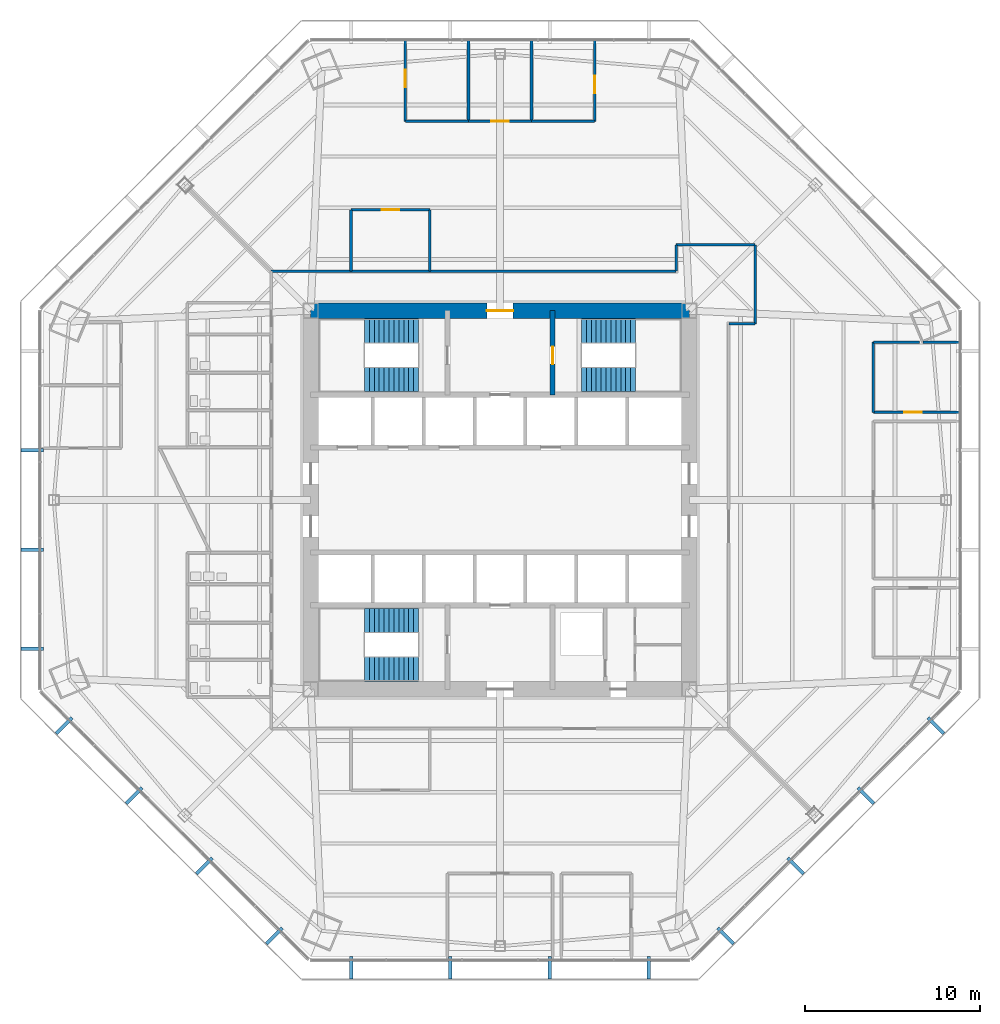
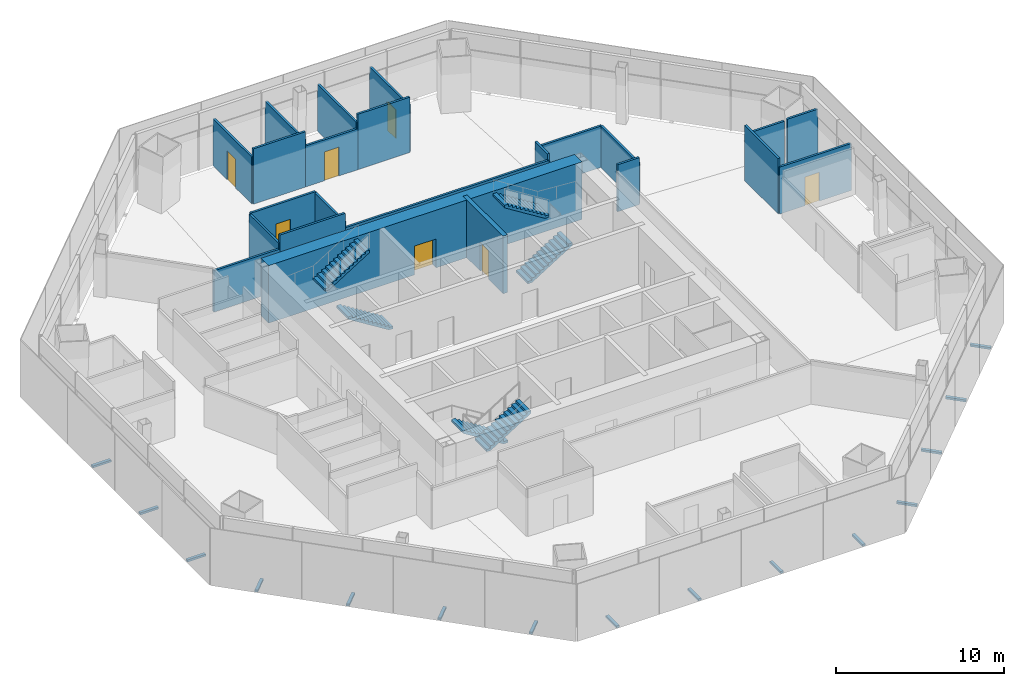
# One storey, part 11 of 15: 23 walls, 15 discrete accessories, 7 doors, 6 stair flights, 7 openings, 3 elements without a shape of their own.
"""IFC4 building model written with IfcOpenShell, lengths in metres."""

from ifc_helpers import new_model, si_unit, direction, frame, frame_2d, origin, origin_2d, place, context, subcontext, project, spatial, polyline, rectangle, outline, extrude, source, transform, mapped, material, layer, layer_set, type_object, type_shapes, element, fill, aggregate, save


model = new_model("IFC4")

# Units and contexts
model_context = context("Model", 3, precision=1e-05, world=origin(), true_north=direction((0.0, 1.0)))
body_context = subcontext(model_context, "Body", "Model", "MODEL_VIEW")
ifc_project = project(units=[si_unit("LENGTHUNIT", "METRE"), si_unit("AREAUNIT", "SQUARE_METRE"), si_unit("VOLUMEUNIT", "CUBIC_METRE"), si_unit("PLANEANGLEUNIT", "RADIAN"), si_unit("MASSUNIT", "GRAM", prefix="KILO")], contexts=[model_context])

# Site, building, storey
site_placement = place(None, origin())
site = spatial("IfcSite", under=ifc_project, at=site_placement, CompositionType="ELEMENT")
building_placement = place(site_placement, origin())
building = spatial("IfcBuilding", under=site, at=building_placement, Name="Mashrafa Tower", CompositionType="ELEMENT")
storey_placement = place(building_placement, frame((0.0, 0.0, 62.39990234375)))
storey = spatial("IfcBuildingStorey", under=building, at=storey_placement, Name="L13", CompositionType="ELEMENT", Elevation=62.39990234375)

# Wall, opening, door
ifc_material_1 = material(Name="Concrete C60/75", Category="concrete")
ifc_layer_1 = layer(ifc_material_1, 0.300048828125)
ifc_layer_set_1 = layer_set([ifc_layer_1], Name="Core wall 300 C60/75")
wall_type_1 = type_object("IfcWallType", Name="Core wall 300 C60/75", PredefinedType="SOLIDWALL", material=ifc_layer_set_1)
wall_1_placement = place(storey_placement, frame((3.0, 6.0, 0.0), z_axis=(0.0, 0.0, 1.0), x_axis=(0.0, 1.0, 0.0)))
wall_1 = element("IfcWall", 1, at=wall_1_placement, inside=storey, type_object=wall_type_1, Name="Core wall CX-NE L13", PredefinedType="SOLIDWALL", context=body_context, shape_type="SweptSolid", body=[
    extrude(rectangle(XDim=4.800048828125, YDim=0.300048828125, at=frame_2d((2.39990234375, 0.0))), origin(), (0.0, 0.0, 1.0), 4.2001953125),
])
opening_1_placement = place(wall_1_placement, frame((1.75, 0.0, 0.0)))
opening_1 = element("IfcOpeningElement", 2, at=opening_1_placement, cuts=wall_1, Name="Opening 13.031", PredefinedType="OPENING", context=body_context, shape_type="SweptSolid", body=[
    extrude(rectangle(XDim=1.0, YDim=2.10009765625, at=frame_2d((0.5, 1.050048828125))), frame((0.0, 0.159912109375, 0.0), z_axis=(0.0, -1.0, 0.0), x_axis=(1.0, 0.0, 0.0)), (0.0, 0.0, 1.0), 0.320068359375),
])
ifc_material_2 = material(Name="Steel door", Category="steel")
door_type_1 = type_object("IfcDoorType", Name="Stair door 1000 x 2100 90 min", OperationType="USERDEFINED", PredefinedType="DOOR", material=ifc_material_2)
door_1_placement = place(opening_1_placement, frame((1.0, 0.0, 0.0), z_axis=(0.0, 0.0, 1.0), x_axis=(-1.0, 0.0, 0.0)))
door_1 = element("IfcDoor", 3, at=door_1_placement, inside=storey, type_object=door_type_1, Name="Stair S2 door L13", OperationType="SINGLE_SWING_RIGHT", OverallHeight=2.10009765625, OverallWidth=1.0, PredefinedType="DOOR", context=body_context, shape_type="SweptSolid", body=[
    extrude(rectangle(XDim=1.0, YDim=2.10009765625, at=frame_2d((0.5, 1.050048828125))), frame((0.0, 0.02490234375, 0.0), z_axis=(0.0, -1.0, 0.0), x_axis=(1.0, 0.0, 0.0)), (0.0, 0.0, 1.0), 0.050048828125),
])
fill(opening_1, door_1)

ifc_material_3 = material(Name="Concrete C60/75", Category="concrete")
ifc_layer_2 = layer(ifc_material_3, 0.89990234375)
ifc_layer_set_2 = layer_set([ifc_layer_2], Name="Core wall 900 C60/75")
wall_type_2 = type_object("IfcWallType", Name="Core wall 900 C60/75", PredefinedType="SOLIDWALL", material=ifc_layer_set_2)
wall_2_placement = place(storey_placement, frame((10.800048828125, 10.800048828125, 0.0), z_axis=(0.0, 0.0, 1.0), x_axis=(-1.0, 0.0, 0.0)))
wall_2 = element("IfcWall", 4, at=wall_2_placement, inside=storey, type_object=wall_type_2, Name="Core wall CW-N L13", PredefinedType="SOLIDWALL", context=body_context, shape_type="SweptSolid", body=[
    extrude(rectangle(XDim=21.60009765625, YDim=0.89990234375, at=frame_2d((10.800048828125, 0.0))), origin(), (0.0, 0.0, 1.0), 4.2001953125),
])
opening_2_placement = place(wall_2_placement, frame((10.050048828125, 0.0, 0.0)))
opening_2 = element("IfcOpeningElement", 5, at=opening_2_placement, cuts=wall_2, Name="Opening 13.028", PredefinedType="OPENING", context=body_context, shape_type="SweptSolid", body=[
    extrude(rectangle(XDim=1.5, YDim=2.10009765625, at=frame_2d((0.75, 1.050048828125))), frame((0.0, 0.4599609375, 0.0), z_axis=(0.0, -1.0, 0.0), x_axis=(1.0, 0.0, 0.0)), (0.0, 0.0, 1.0), 0.919921875),
])
ifc_material_4 = material(Name="Steel door", Category="steel")
door_type_2 = type_object("IfcDoorType", Name="Lobby door pair 1500 x 2100 90 min", OperationType="DOUBLE_DOOR_SINGLE_SWING", PredefinedType="DOOR", material=ifc_material_4)
door_2_placement = place(opening_2_placement, origin())
door_2 = element("IfcDoor", 6, at=door_2_placement, inside=storey, type_object=door_type_2, Name="Fire-fighting lobby F1 door L13", OperationType="DOUBLE_DOOR_SINGLE_SWING", OverallHeight=2.10009765625, OverallWidth=1.5, PredefinedType="DOOR", context=body_context, shape_type="SweptSolid", body=[
    extrude(rectangle(XDim=1.5, YDim=2.10009765625, at=frame_2d((0.75, 1.050048828125))), frame((0.0, 0.02490234375, 0.0), z_axis=(0.0, -1.0, 0.0), x_axis=(1.0, 0.0, 0.0)), (0.0, 0.0, 1.0), 0.050048828125),
])
fill(opening_2, door_2)

# Walls
ifc_material_5 = material(Name="Gypsum board on steel studs", Category="steel")
ifc_layer_3 = layer(ifc_material_5, 0.14990234375)
ifc_layer_set_3 = layer_set([ifc_layer_3], Name="Corridor partition 150 1 hr")
wall_type_3 = type_object("IfcWallType", Name="Corridor partition 150 1 hr", PredefinedType="PARTITIONING", material=ifc_layer_set_3)
wall_3_placement = place(storey_placement, frame((-3.9990234375, 13.050048828125, 0.0), z_axis=(0.0, 0.0, 1.0), x_axis=(-1.0, 0.0, 0.0)))
element("IfcWall", 7, at=wall_3_placement, inside=storey, type_object=wall_type_3, Name="Corridor wall L13-010", PredefinedType="PARTITIONING", context=body_context, shape_type="SweptSolid", body=[
    extrude(rectangle(XDim=4.501953125, YDim=0.14990234375, at=frame_2d((2.2509765625, 0.0))), origin(), (0.0, 0.0, 1.0), 4.03515625),
])
wall_4_placement = place(storey_placement, frame((-8.4990234375, 13.050048828125, 0.0), z_axis=(0.0, 0.0, 1.0), x_axis=(-1.0, 0.0, 0.0)))
element("IfcWall", 8, at=wall_4_placement, inside=storey, type_object=wall_type_3, Name="Corridor wall L13-012", PredefinedType="PARTITIONING", context=body_context, shape_type="SweptSolid", body=[
    extrude(rectangle(XDim=4.551025390625, YDim=0.14990234375, at=frame_2d((2.275390625, 0.0))), origin(), (0.0, 0.0, 1.0), 3.01416015625),
])
wall_5_placement = place(storey_placement, frame((13.050048828125, 10.050048828125, 0.0), z_axis=(0.0, 0.0, 1.0), x_axis=(1.0, 0.0, 0.0)))
element("IfcWall", 9, at=wall_5_placement, inside=storey, type_object=wall_type_3, Name="Corridor wall L13-014", PredefinedType="PARTITIONING", context=body_context, shape_type="SweptSolid", body=[
    extrude(rectangle(XDim=1.5, YDim=0.14990234375, at=frame_2d((0.75, 0.0))), origin(), (0.0, 0.0, 1.0), 3.423095703125),
])
for number, where, z_axis, x_axis, name in (
    (10, (14.550048828125, 10.050048828125, 0.0), (0.0, 0.0, 1.0), (0.0, 1.0, 0.0), "Corridor wall L13-015"),
    (11, (14.550048828125, 14.550048828125, 0.0), (0.0, 0.0, 1.0), (-1.0, 0.0, 0.0), "Corridor wall L13-016"),
):
    element("IfcWall", number, at=place(storey_placement, frame(where, z_axis=z_axis, x_axis=x_axis)), inside=storey, type_object=wall_type_3, Name=name, PredefinedType="PARTITIONING", context=body_context, shape_type="SweptSolid", body=[
        extrude(rectangle(XDim=4.5, YDim=0.14990234375, at=frame_2d((2.25, 0.0))), origin(), (0.0, 0.0, 1.0), 3.01416015625),
    ])
wall_6_placement = place(storey_placement, frame((10.050048828125, 14.550048828125, 0.0), z_axis=(0.0, 0.0, 1.0), x_axis=(0.0, -1.0, 0.0)))
element("IfcWall", 12, at=wall_6_placement, inside=storey, type_object=wall_type_3, Name="Corridor wall L13-017", PredefinedType="PARTITIONING", context=body_context, shape_type="SweptSolid", body=[
    extrude(rectangle(XDim=1.5, YDim=0.14990234375, at=frame_2d((0.75, 0.0))), origin(), (0.0, 0.0, 1.0), 3.423095703125),
])
wall_7_placement = place(storey_placement, frame((10.050048828125, 13.050048828125, 0.0), z_axis=(0.0, 0.0, 1.0), x_axis=(-1.0, 0.0, 0.0)))
element("IfcWall", 13, at=wall_7_placement, inside=storey, type_object=wall_type_3, Name="Corridor wall L13-018", PredefinedType="PARTITIONING", context=body_context, shape_type="SweptSolid", body=[
    extrude(rectangle(XDim=14.051025390625, YDim=0.14990234375, at=frame_2d((7.025390625, 0.0))), origin(), (0.0, 0.0, 1.0), 2.983642578125),
])
ifc_material_6 = material(Name="Gypsum board on steel studs", Category="steel")
ifc_layer_4 = layer(ifc_material_6, 0.14990234375)
ifc_layer_set_4 = layer_set([ifc_layer_4], Name="Partition 150")
wall_type_4 = type_object("IfcWallType", Name="Partition 150", PredefinedType="PARTITIONING", material=ifc_layer_set_4)
wall_8_placement = place(storey_placement, frame((-4.0, 13.050048828125, 0.0), z_axis=(0.0, 0.0, 1.0), x_axis=(0.0, 1.0, 0.0)))
element("IfcWall", 14, at=wall_8_placement, inside=storey, type_object=wall_type_4, Name="Partition wall L13-047", PredefinedType="PARTITIONING", context=body_context, shape_type="SweptSolid", body=[
    extrude(rectangle(XDim=3.5, YDim=0.14990234375, at=frame_2d((1.75, 0.0))), origin(), (0.0, 0.0, 1.0), 3.423095703125),
])

# Wall, opening, door
wall_9_placement = place(storey_placement, frame((-4.0, 16.550048828125, 0.0), z_axis=(0.0, 0.0, 1.0), x_axis=(-1.0, 0.0, 0.0)))
wall_9 = element("IfcWall", 15, at=wall_9_placement, inside=storey, type_object=wall_type_4, Name="Partition wall L13-048", PredefinedType="PARTITIONING", context=body_context, shape_type="SweptSolid", body=[
    extrude(rectangle(XDim=4.5, YDim=0.14990234375, at=frame_2d((2.25, 0.0))), origin(), (0.0, 0.0, 1.0), 3.496826171875),
])
opening_3_placement = place(wall_9_placement, frame((1.75, 0.0, 0.0)))
opening_3 = element("IfcOpeningElement", 16, at=opening_3_placement, cuts=wall_9, Name="Opening 13.011", PredefinedType="OPENING", context=body_context, shape_type="SweptSolid", body=[
    extrude(rectangle(XDim=1.0, YDim=2.10009765625, at=frame_2d((0.5, 1.050048828125))), frame((0.0, 0.0849609375, 0.0), z_axis=(0.0, -1.0, 0.0), x_axis=(1.0, 0.0, 0.0)), (0.0, 0.0, 1.0), 0.169921875),
])
ifc_material_7 = material(Name="Timber door", Category="wood")
door_type_3 = type_object("IfcDoorType", Name="Door 1000 x 2100", OperationType="USERDEFINED", PredefinedType="DOOR", material=ifc_material_7)
door_3_placement = place(opening_3_placement, origin())
door_3 = element("IfcDoor", 17, at=door_3_placement, inside=storey, type_object=door_type_3, Name="Pantry 13-A door", OperationType="SINGLE_SWING_LEFT", OverallHeight=2.10009765625, OverallWidth=1.0, PredefinedType="DOOR", context=body_context, shape_type="SweptSolid", body=[
    extrude(rectangle(XDim=1.0, YDim=2.10009765625, at=frame_2d((0.5, 1.050048828125))), frame((0.0, 0.02490234375, 0.0), z_axis=(0.0, -1.0, 0.0), x_axis=(1.0, 0.0, 0.0)), (0.0, 0.0, 1.0), 0.050048828125),
])
fill(opening_3, door_3)

# Walls
wall_10_placement = place(storey_placement, frame((-8.5, 16.550048828125, 0.0), z_axis=(0.0, 0.0, 1.0), x_axis=(0.0, -1.0, 0.0)))
element("IfcWall", 18, at=wall_10_placement, inside=storey, type_object=wall_type_4, Name="Partition wall L13-049", PredefinedType="PARTITIONING", context=body_context, shape_type="SweptSolid", body=[
    extrude(rectangle(XDim=3.5, YDim=0.14990234375, at=frame_2d((1.75, 0.0))), origin(), (0.0, 0.0, 1.0), 3.423095703125),
])
wall_11_placement = place(storey_placement, frame((1.800048828125, 26.2314453125, 0.0), z_axis=(0.0, 0.0, 1.0), x_axis=(0.0, -1.0, 0.0)))
element("IfcWall", 19, at=wall_11_placement, inside=storey, type_object=wall_type_4, Name="Partition wall L13-056", PredefinedType="PARTITIONING", context=body_context, shape_type="SweptSolid", body=[
    extrude(rectangle(XDim=4.6318359375, YDim=0.14990234375, at=frame_2d((2.31591796875, 0.0))), origin(), (0.0, 0.0, 1.0), 3.423095703125),
])
wall_12_placement = place(storey_placement, frame((1.800048828125, 21.599609375, 0.0), z_axis=(0.0, 0.0, 1.0), x_axis=(1.0, 0.0, 0.0)))
element("IfcWall", 20, at=wall_12_placement, inside=storey, type_object=wall_type_4, Name="Partition wall L13-057", PredefinedType="PARTITIONING", context=body_context, shape_type="SweptSolid", body=[
    extrude(rectangle(XDim=3.599853515625, YDim=0.14990234375, at=frame_2d((1.7998046875, 0.0))), origin(), (0.0, 0.0, 1.0), 4.03515625),
])

# Wall, opening, door
wall_13_placement = place(storey_placement, frame((5.39990234375, 21.599609375, 0.0), z_axis=(0.0, 0.0, 1.0), x_axis=(0.0, 1.0, 0.0)))
wall_13 = element("IfcWall", 21, at=wall_13_placement, inside=storey, type_object=wall_type_4, Name="Partition wall L13-058", PredefinedType="PARTITIONING", context=body_context, shape_type="SweptSolid", body=[
    extrude(rectangle(XDim=4.6337890625, YDim=0.14990234375, at=frame_2d((2.31689453125, 0.0))), origin(), (0.0, 0.0, 1.0), 3.423095703125),
])
opening_4_placement = place(wall_13_placement, frame((1.60009765625, 0.0, 0.0)))
opening_4 = element("IfcOpeningElement", 22, at=opening_4_placement, cuts=wall_13, Name="Opening 13.014", PredefinedType="OPENING", context=body_context, shape_type="SweptSolid", body=[
    extrude(rectangle(XDim=1.0, YDim=2.10009765625, at=frame_2d((0.5, 1.050048828125))), frame((0.0, 0.0849609375, 0.0), z_axis=(0.0, -1.0, 0.0), x_axis=(1.0, 0.0, 0.0)), (0.0, 0.0, 1.0), 0.169921875),
])
door_4_placement = place(opening_4_placement, origin())
door_4 = element("IfcDoor", 23, at=door_4_placement, inside=storey, type_object=door_type_3, Name="Office 13-A-1 door", OperationType="SINGLE_SWING_LEFT", OverallHeight=2.10009765625, OverallWidth=1.0, PredefinedType="DOOR", context=body_context, shape_type="SweptSolid", body=[
    extrude(rectangle(XDim=1.0, YDim=2.10009765625, at=frame_2d((0.5, 1.050048828125))), frame((0.0, 0.02490234375, 0.0), z_axis=(0.0, -1.0, 0.0), x_axis=(1.0, 0.0, 0.0)), (0.0, 0.0, 1.0), 0.050048828125),
])
fill(opening_4, door_4)

# Wall
wall_14_placement = place(storey_placement, frame((-1.800048828125, 26.2314453125, 0.0), z_axis=(0.0, 0.0, 1.0), x_axis=(0.0, -1.0, 0.0)))
element("IfcWall", 24, at=wall_14_placement, inside=storey, type_object=wall_type_4, Name="Partition wall L13-059", PredefinedType="PARTITIONING", context=body_context, shape_type="SweptSolid", body=[
    extrude(rectangle(XDim=4.6318359375, YDim=0.14990234375, at=frame_2d((2.31591796875, 0.0))), origin(), (0.0, 0.0, 1.0), 3.423095703125),
])

# Wall, opening, door
wall_15_placement = place(storey_placement, frame((-1.800048828125, 21.599609375, 0.0), z_axis=(0.0, 0.0, 1.0), x_axis=(1.0, 0.0, 0.0)))
wall_15 = element("IfcWall", 25, at=wall_15_placement, inside=storey, type_object=wall_type_4, Name="Partition wall L13-060", PredefinedType="PARTITIONING", context=body_context, shape_type="SweptSolid", body=[
    extrude(rectangle(XDim=3.60009765625, YDim=0.14990234375, at=frame_2d((1.800048828125, 0.0))), origin(), (0.0, 0.0, 1.0), 2.983642578125),
])
opening_5_placement = place(wall_15_placement, frame((1.300048828125, 0.0, 0.0)))
opening_5 = element("IfcOpeningElement", 26, at=opening_5_placement, cuts=wall_15, Name="Opening 13.015", PredefinedType="OPENING", context=body_context, shape_type="SweptSolid", body=[
    extrude(rectangle(XDim=1.0, YDim=2.10009765625, at=frame_2d((0.5, 1.050048828125))), frame((0.0, 0.0849609375, 0.0), z_axis=(0.0, -1.0, 0.0), x_axis=(1.0, 0.0, 0.0)), (0.0, 0.0, 1.0), 0.169921875),
])
door_5_placement = place(opening_5_placement, origin())
door_5 = element("IfcDoor", 27, at=door_5_placement, inside=storey, type_object=door_type_3, Name="Office 13-A-2 door", OperationType="SINGLE_SWING_LEFT", OverallHeight=2.10009765625, OverallWidth=1.0, PredefinedType="DOOR", context=body_context, shape_type="SweptSolid", body=[
    extrude(rectangle(XDim=1.0, YDim=2.10009765625, at=frame_2d((0.5, 1.050048828125))), frame((0.0, 0.02490234375, 0.0), z_axis=(0.0, -1.0, 0.0), x_axis=(1.0, 0.0, 0.0)), (0.0, 0.0, 1.0), 0.050048828125),
])
fill(opening_5, door_5)

wall_16_placement = place(storey_placement, frame((-5.39990234375, 26.2333984375, 0.0), z_axis=(0.0, 0.0, 1.0), x_axis=(0.0, -1.0, 0.0)))
wall_16 = element("IfcWall", 28, at=wall_16_placement, inside=storey, type_object=wall_type_4, Name="Partition wall L13-061", PredefinedType="PARTITIONING", context=body_context, shape_type="SweptSolid", body=[
    extrude(rectangle(XDim=4.6337890625, YDim=0.14990234375, at=frame_2d((2.31689453125, 0.0))), origin(), (0.0, 0.0, 1.0), 3.423095703125),
])
opening_6_placement = place(wall_16_placement, frame((1.698974609375, 0.0, 0.0)))
opening_6 = element("IfcOpeningElement", 29, at=opening_6_placement, cuts=wall_16, Name="Opening 13.016", PredefinedType="OPENING", context=body_context, shape_type="SweptSolid", body=[
    extrude(rectangle(XDim=1.0, YDim=2.10009765625, at=frame_2d((0.5, 1.050048828125))), frame((0.0, 0.0849609375, 0.0), z_axis=(0.0, -1.0, 0.0), x_axis=(1.0, 0.0, 0.0)), (0.0, 0.0, 1.0), 0.169921875),
])
door_6_placement = place(opening_6_placement, origin())
door_6 = element("IfcDoor", 30, at=door_6_placement, inside=storey, type_object=door_type_3, Name="Office 13-A-3 door", OperationType="SINGLE_SWING_LEFT", OverallHeight=2.10009765625, OverallWidth=1.0, PredefinedType="DOOR", context=body_context, shape_type="SweptSolid", body=[
    extrude(rectangle(XDim=1.0, YDim=2.10009765625, at=frame_2d((0.5, 1.050048828125))), frame((0.0, 0.02490234375, 0.0), z_axis=(0.0, -1.0, 0.0), x_axis=(1.0, 0.0, 0.0)), (0.0, 0.0, 1.0), 0.050048828125),
])
fill(opening_6, door_6)

# Walls
wall_17_placement = place(storey_placement, frame((-5.39990234375, 21.599609375, 0.0), z_axis=(0.0, 0.0, 1.0), x_axis=(1.0, 0.0, 0.0)))
element("IfcWall", 31, at=wall_17_placement, inside=storey, type_object=wall_type_4, Name="Partition wall L13-062", PredefinedType="PARTITIONING", context=body_context, shape_type="SweptSolid", body=[
    extrude(rectangle(XDim=3.599853515625, YDim=0.14990234375, at=frame_2d((1.7998046875, 0.0))), origin(), (0.0, 0.0, 1.0), 4.03515625),
])
wall_18_placement = place(storey_placement, frame((26.2314453125, 9.0, 0.0), z_axis=(0.0, 0.0, 1.0), x_axis=(-1.0, 0.0, 0.0)))
element("IfcWall", 32, at=wall_18_placement, inside=storey, type_object=wall_type_4, Name="Partition wall L13-068", PredefinedType="PARTITIONING", context=body_context, shape_type="SweptSolid", body=[
    extrude(rectangle(XDim=2.10205078125, YDim=0.14990234375, at=frame_2d((1.051025390625, 0.0))), origin(), (0.0, 0.0, 1.0), 3.496826171875),
])
wall_19_placement = place(storey_placement, frame((23.9248046875, 9.0, 0.0), z_axis=(0.0, 0.0, 1.0), x_axis=(-1.0, 0.0, 0.0)))
element("IfcWall", 33, at=wall_19_placement, inside=storey, type_object=wall_type_4, Name="Partition wall L13-069", PredefinedType="PARTITIONING", context=body_context, shape_type="SweptSolid", body=[
    extrude(rectangle(XDim=2.625244140625, YDim=0.14990234375, at=frame_2d((1.3125, 0.0))), origin(), (0.0, 0.0, 1.0), 3.423095703125),
])
wall_20_placement = place(storey_placement, frame((21.299560546875, 9.0, 0.0), z_axis=(0.0, 0.0, 1.0), x_axis=(0.0, -1.0, 0.0)))
element("IfcWall", 34, at=wall_20_placement, inside=storey, type_object=wall_type_4, Name="Partition wall L13-070", PredefinedType="PARTITIONING", context=body_context, shape_type="SweptSolid", body=[
    extrude(rectangle(XDim=4.0, YDim=0.14990234375, at=frame_2d((2.0, 0.0))), origin(), (0.0, 0.0, 1.0), 4.03515625),
])

# Wall, opening, door
wall_21_placement = place(storey_placement, frame((21.299560546875, 5.0, 0.0), z_axis=(0.0, 0.0, 1.0), x_axis=(1.0, 0.0, 0.0)))
wall_21 = element("IfcWall", 35, at=wall_21_placement, inside=storey, type_object=wall_type_4, Name="Partition wall L13-071", PredefinedType="PARTITIONING", context=body_context, shape_type="SweptSolid", body=[
    extrude(rectangle(XDim=4.933837890625, YDim=0.14990234375, at=frame_2d((2.466796875, 0.0))), origin(), (0.0, 0.0, 1.0), 3.423095703125),
])
opening_7_placement = place(wall_21_placement, frame((1.75, 0.0, 0.0)))
opening_7 = element("IfcOpeningElement", 36, at=opening_7_placement, cuts=wall_21, Name="Opening 13.019", PredefinedType="OPENING", context=body_context, shape_type="SweptSolid", body=[
    extrude(rectangle(XDim=1.0, YDim=2.10009765625, at=frame_2d((0.5, 1.050048828125))), frame((0.0, 0.0849609375, 0.0), z_axis=(0.0, -1.0, 0.0), x_axis=(1.0, 0.0, 0.0)), (0.0, 0.0, 1.0), 0.169921875),
])
door_7_placement = place(opening_7_placement, origin())
door_7 = element("IfcDoor", 37, at=door_7_placement, inside=storey, type_object=door_type_3, Name="Project Meeting Room 13-A1 door", OperationType="SINGLE_SWING_LEFT", OverallHeight=2.10009765625, OverallWidth=1.0, PredefinedType="DOOR", context=body_context, shape_type="SweptSolid", body=[
    extrude(rectangle(XDim=1.0, YDim=2.10009765625, at=frame_2d((0.5, 1.050048828125))), frame((0.0, 0.02490234375, 0.0), z_axis=(0.0, -1.0, 0.0), x_axis=(1.0, 0.0, 0.0)), (0.0, 0.0, 1.0), 0.050048828125),
])
fill(opening_7, door_7)

# Stair, stair flights
ifc_material_8 = material(Name="Exit stair 1400")
stair_type = type_object("IfcStairType", Name="Exit stair 1400", PredefinedType="HALF_TURN_STAIR", material=ifc_material_8)
stair_1_placement = place(storey_placement, origin())
stair_1 = element("IfcStair", 38, at=stair_1_placement, inside=storey, type_object=stair_type, Name="Stair S1 L13", PredefinedType="HALF_TURN_STAIR")
ifc_material_9 = material(Name="Concrete C32/40", Category="concrete")
stair_flight_type = type_object("IfcStairFlightType", Name="Stair flight 1400", PredefinedType="STRAIGHT", material=ifc_material_9)
stair_flight_1_placement = place(storey_placement, frame((-4.64990234375, 6.85009765625, 0.0), z_axis=(0.0, 0.0, 1.0), x_axis=(-1.0, 0.0, 0.0)))
stair_flight_1 = element("IfcStairFlight", 39, at=stair_flight_1_placement, type_object=stair_flight_type, Name="S1 flight 1", NumberOfRisers=12, NumberOfTreads=11, PredefinedType="STRAIGHT", RiserHeight=0.175, TreadLength=0.28, context=body_context, shape_type="SweptSolid", body=[
    extrude(outline(polyline([(0.0, 0.0), (0.0, 0.175048828125), (0.280029296875, 0.175048828125), (0.280029296875, 0.35009765625), (0.56005859375, 0.35009765625), (0.56005859375, 0.52490234375), (0.840087890625, 0.52490234375), (0.840087890625, 0.699951171875), (1.1201171875, 0.699951171875), (1.1201171875, 0.875), (1.39990234375, 0.875), (1.39990234375, 1.050048828125), (1.679931640625, 1.050048828125), (1.679931640625, 1.22509765625), (1.9599609375, 1.22509765625), (1.9599609375, 1.39990234375), (2.239990234375, 1.39990234375), (2.239990234375, 1.574951171875), (2.52001953125, 1.574951171875), (2.52001953125, 1.75), (2.800048828125, 1.75), (2.800048828125, 1.925048828125), (3.080078125, 1.925048828125), (3.080078125, 2.10009765625), (3.080078125, 1.748291015625), (0.28271484375, 0.0), (0.0, 0.0)])), frame((0.0, 0.699951171875, 0.0), z_axis=(0.0, -1.0, 0.0), x_axis=(1.0, 0.0, 0.0)), (0.0, 0.0, 1.0), 1.39990234375),
])
stair_flight_2_placement = place(storey_placement, frame((-7.72998046875, 9.64990234375, 2.10009765625), z_axis=(0.0, 0.0, 1.0), x_axis=(1.0, 0.0, 0.0)))
stair_flight_2 = element("IfcStairFlight", 40, at=stair_flight_2_placement, type_object=stair_flight_type, Name="S1 flight 2", NumberOfRisers=12, NumberOfTreads=11, PredefinedType="STRAIGHT", RiserHeight=0.175, TreadLength=0.28, context=body_context, shape_type="SweptSolid", body=[
    extrude(outline(polyline([(0.0, 0.0), (0.0, 0.175048828125), (0.280029296875, 0.175048828125), (0.280029296875, 0.35009765625), (0.56005859375, 0.35009765625), (0.56005859375, 0.52490234375), (0.840087890625, 0.52490234375), (0.840087890625, 0.699951171875), (1.1201171875, 0.699951171875), (1.1201171875, 0.875), (1.39990234375, 0.875), (1.39990234375, 1.050048828125), (1.679931640625, 1.050048828125), (1.679931640625, 1.22509765625), (1.9599609375, 1.22509765625), (1.9599609375, 1.39990234375), (2.239990234375, 1.39990234375), (2.239990234375, 1.574951171875), (2.52001953125, 1.574951171875), (2.52001953125, 1.75), (2.800048828125, 1.75), (2.800048828125, 1.925048828125), (3.080078125, 1.925048828125), (3.080078125, 2.10009765625), (3.080078125, 1.748291015625), (0.28271484375, 0.0), (0.0, 0.0)])), frame((0.0, 0.699951171875, 0.0), z_axis=(0.0, -1.0, 0.0), x_axis=(1.0, 0.0, 0.0)), (0.0, 0.0, 1.0), 1.39990234375),
])
aggregate(stair_1, [stair_flight_1, stair_flight_2])

stair_2_placement = place(storey_placement, origin())
stair_2 = element("IfcStair", 41, at=stair_2_placement, inside=storey, type_object=stair_type, Name="Stair S2 L13", PredefinedType="HALF_TURN_STAIR")
stair_flight_3_placement = place(storey_placement, frame((4.64990234375, 6.85009765625, 0.0), z_axis=(0.0, 0.0, 1.0), x_axis=(1.0, 0.0, 0.0)))
stair_flight_3 = element("IfcStairFlight", 42, at=stair_flight_3_placement, type_object=stair_flight_type, Name="S2 flight 1", NumberOfRisers=12, NumberOfTreads=11, PredefinedType="STRAIGHT", RiserHeight=0.175, TreadLength=0.28, context=body_context, shape_type="SweptSolid", body=[
    extrude(outline(polyline([(0.0, 0.0), (0.0, 0.175048828125), (0.280029296875, 0.175048828125), (0.280029296875, 0.35009765625), (0.56005859375, 0.35009765625), (0.56005859375, 0.52490234375), (0.840087890625, 0.52490234375), (0.840087890625, 0.699951171875), (1.1201171875, 0.699951171875), (1.1201171875, 0.875), (1.39990234375, 0.875), (1.39990234375, 1.050048828125), (1.679931640625, 1.050048828125), (1.679931640625, 1.22509765625), (1.9599609375, 1.22509765625), (1.9599609375, 1.39990234375), (2.239990234375, 1.39990234375), (2.239990234375, 1.574951171875), (2.52001953125, 1.574951171875), (2.52001953125, 1.75), (2.800048828125, 1.75), (2.800048828125, 1.925048828125), (3.080078125, 1.925048828125), (3.080078125, 2.10009765625), (3.080078125, 1.748291015625), (0.28271484375, 0.0), (0.0, 0.0)])), frame((0.0, 0.699951171875, 0.0), z_axis=(0.0, -1.0, 0.0), x_axis=(1.0, 0.0, 0.0)), (0.0, 0.0, 1.0), 1.39990234375),
])
stair_flight_4_placement = place(storey_placement, frame((7.72998046875, 9.64990234375, 2.10009765625), z_axis=(0.0, 0.0, 1.0), x_axis=(-1.0, 0.0, 0.0)))
stair_flight_4 = element("IfcStairFlight", 43, at=stair_flight_4_placement, type_object=stair_flight_type, Name="S2 flight 2", NumberOfRisers=12, NumberOfTreads=11, PredefinedType="STRAIGHT", RiserHeight=0.175, TreadLength=0.28, context=body_context, shape_type="SweptSolid", body=[
    extrude(outline(polyline([(0.0, 0.0), (0.0, 0.175048828125), (0.280029296875, 0.175048828125), (0.280029296875, 0.35009765625), (0.56005859375, 0.35009765625), (0.56005859375, 0.52490234375), (0.840087890625, 0.52490234375), (0.840087890625, 0.699951171875), (1.1201171875, 0.699951171875), (1.1201171875, 0.875), (1.39990234375, 0.875), (1.39990234375, 1.050048828125), (1.679931640625, 1.050048828125), (1.679931640625, 1.22509765625), (1.9599609375, 1.22509765625), (1.9599609375, 1.39990234375), (2.239990234375, 1.39990234375), (2.239990234375, 1.574951171875), (2.52001953125, 1.574951171875), (2.52001953125, 1.75), (2.800048828125, 1.75), (2.800048828125, 1.925048828125), (3.080078125, 1.925048828125), (3.080078125, 2.10009765625), (3.080078125, 1.748291015625), (0.28271484375, 0.0), (0.0, 0.0)])), frame((0.0, 0.699951171875, 0.0), z_axis=(0.0, -1.0, 0.0), x_axis=(1.0, 0.0, 0.0)), (0.0, 0.0, 1.0), 1.39990234375),
])
aggregate(stair_2, [stair_flight_3, stair_flight_4])

stair_3_placement = place(storey_placement, origin())
stair_3 = element("IfcStair", 44, at=stair_3_placement, inside=storey, type_object=stair_type, Name="Stair S3 L13", PredefinedType="HALF_TURN_STAIR")
stair_flight_5_placement = place(storey_placement, frame((-4.64990234375, -6.85009765625, 0.0), z_axis=(0.0, 0.0, 1.0), x_axis=(-1.0, 0.0, 0.0)))
stair_flight_5 = element("IfcStairFlight", 45, at=stair_flight_5_placement, type_object=stair_flight_type, Name="S3 flight 1", NumberOfRisers=12, NumberOfTreads=11, PredefinedType="STRAIGHT", RiserHeight=0.175, TreadLength=0.28, context=body_context, shape_type="SweptSolid", body=[
    extrude(outline(polyline([(0.0, 0.0), (0.0, 0.175048828125), (0.280029296875, 0.175048828125), (0.280029296875, 0.35009765625), (0.56005859375, 0.35009765625), (0.56005859375, 0.52490234375), (0.840087890625, 0.52490234375), (0.840087890625, 0.699951171875), (1.1201171875, 0.699951171875), (1.1201171875, 0.875), (1.39990234375, 0.875), (1.39990234375, 1.050048828125), (1.679931640625, 1.050048828125), (1.679931640625, 1.22509765625), (1.9599609375, 1.22509765625), (1.9599609375, 1.39990234375), (2.239990234375, 1.39990234375), (2.239990234375, 1.574951171875), (2.52001953125, 1.574951171875), (2.52001953125, 1.75), (2.800048828125, 1.75), (2.800048828125, 1.925048828125), (3.080078125, 1.925048828125), (3.080078125, 2.10009765625), (3.080078125, 1.748291015625), (0.28271484375, 0.0), (0.0, 0.0)])), frame((0.0, 0.699951171875, 0.0), z_axis=(0.0, -1.0, 0.0), x_axis=(1.0, 0.0, 0.0)), (0.0, 0.0, 1.0), 1.39990234375),
])
stair_flight_6_placement = place(storey_placement, frame((-7.72998046875, -9.64990234375, 2.10009765625), z_axis=(0.0, 0.0, 1.0), x_axis=(1.0, 0.0, 0.0)))
stair_flight_6 = element("IfcStairFlight", 46, at=stair_flight_6_placement, type_object=stair_flight_type, Name="S3 flight 2", NumberOfRisers=12, NumberOfTreads=11, PredefinedType="STRAIGHT", RiserHeight=0.175, TreadLength=0.28, context=body_context, shape_type="SweptSolid", body=[
    extrude(outline(polyline([(0.0, 0.0), (0.0, 0.175048828125), (0.280029296875, 0.175048828125), (0.280029296875, 0.35009765625), (0.56005859375, 0.35009765625), (0.56005859375, 0.52490234375), (0.840087890625, 0.52490234375), (0.840087890625, 0.699951171875), (1.1201171875, 0.699951171875), (1.1201171875, 0.875), (1.39990234375, 0.875), (1.39990234375, 1.050048828125), (1.679931640625, 1.050048828125), (1.679931640625, 1.22509765625), (1.9599609375, 1.22509765625), (1.9599609375, 1.39990234375), (2.239990234375, 1.39990234375), (2.239990234375, 1.574951171875), (2.52001953125, 1.574951171875), (2.52001953125, 1.75), (2.800048828125, 1.75), (2.800048828125, 1.925048828125), (3.080078125, 1.925048828125), (3.080078125, 2.10009765625), (3.080078125, 1.748291015625), (0.28271484375, 0.0), (0.0, 0.0)])), frame((0.0, 0.699951171875, 0.0), z_axis=(0.0, -1.0, 0.0), x_axis=(1.0, 0.0, 0.0)), (0.0, 0.0, 1.0), 1.39990234375),
])
aggregate(stair_3, [stair_flight_5, stair_flight_6])

# Discrete accessories
ifc_material_10 = material(Name="Stainless steel screen bracket", Category="steel")
discrete_accessory_type = type_object("IfcDiscreteAccessoryType", Name="Screen support bracket 200 x 150", PredefinedType="BRACKET", material=ifc_material_10)
shared_shape = source(origin(), body_context, "Body", "SweptSolid", [
    extrude(rectangle(XDim=0.199951171875, YDim=1.27001953125, at=origin_2d()), origin(), (0.0, 0.0, 1.0), 0.14990234375),
])
type_shapes(discrete_accessory_type, [shared_shape])
for number, where, z_axis, x_axis, name in (
    (47, (-26.6845703125, 2.826416015625, -0.14990234375), (0.0, 0.0, 1.0), (0.0, -1.0, 0.0), "Screen support bracket L13 west 2"),
    (48, (-26.6845703125, -2.826416015625, -0.14990234375), (0.0, 0.0, 1.0), (0.0, -1.0, 0.0), "Screen support bracket L13 west 3"),
    (49, (-26.6845703125, -8.4794921875, -0.14990234375), (0.0, 0.0, 1.0), (0.0, -1.0, 0.0), "Screen support bracket L13 west 4"),
    (50, (-24.86474609375, -12.872802734375, -0.14990234375), (0.0, 0.0, 1.0), (0.707106781187, -0.707106781187, 0.0), "Screen support bracket L13 south-west 1"),
    (51, (-20.867431640625, -16.8701171875, -0.14990234375), (0.0, 0.0, 1.0), (0.707106781187, -0.707106781187, 0.0), "Screen support bracket L13 south-west 2"),
    (52, (-16.8701171875, -20.867431640625, -0.14990234375), (0.0, 0.0, 1.0), (0.707106781187, -0.707106781187, 0.0), "Screen support bracket L13 south-west 3"),
    (53, (-12.872802734375, -24.86474609375, -0.14990234375), (0.0, 0.0, 1.0), (0.707106781187, -0.707106781187, 0.0), "Screen support bracket L13 south-west 4"),
    (54, (-8.4794921875, -26.6845703125, -0.14990234375), (0.0, 0.0, 1.0), (1.0, 0.0, 0.0), "Screen support bracket L13 south 1"),
    (55, (-2.826416015625, -26.6845703125, -0.14990234375), (0.0, 0.0, 1.0), (1.0, 0.0, 0.0), "Screen support bracket L13 south 2"),
    (56, (2.826416015625, -26.6845703125, -0.14990234375), (0.0, 0.0, 1.0), (1.0, 0.0, 0.0), "Screen support bracket L13 south 3"),
    (57, (8.4794921875, -26.6845703125, -0.14990234375), (0.0, 0.0, 1.0), (1.0, 0.0, 0.0), "Screen support bracket L13 south 4"),
    (58, (12.872802734375, -24.86474609375, -0.14990234375), (0.0, 0.0, 1.0), (0.707106781187, 0.707106781187, 0.0), "Screen support bracket L13 south-east 1"),
    (59, (16.8701171875, -20.867431640625, -0.14990234375), (0.0, 0.0, 1.0), (0.707106781187, 0.707106781187, 0.0), "Screen support bracket L13 south-east 2"),
    (60, (20.867431640625, -16.8701171875, -0.14990234375), (0.0, 0.0, 1.0), (0.707106781187, 0.707106781187, 0.0), "Screen support bracket L13 south-east 3"),
    (61, (24.86474609375, -12.872802734375, -0.14990234375), (0.0, 0.0, 1.0), (0.707106781187, 0.707106781187, 0.0), "Screen support bracket L13 south-east 4"),
):
    element("IfcDiscreteAccessory", number, at=place(storey_placement, frame(where, z_axis=z_axis, x_axis=x_axis)), inside=storey, type_object=discrete_accessory_type, Name=name, PredefinedType="BRACKET", context=body_context, shape_type="MappedRepresentation", body=[
        mapped(shared_shape, transform((0.0, 0.0, 0.0))),
    ])

save(model, "model.ifc")
